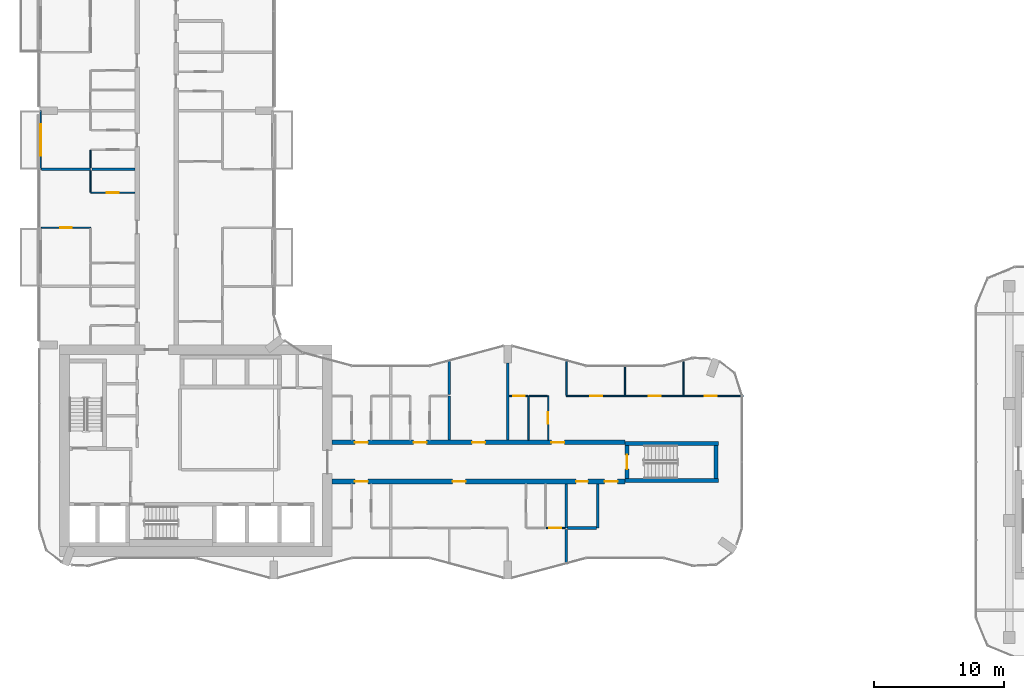
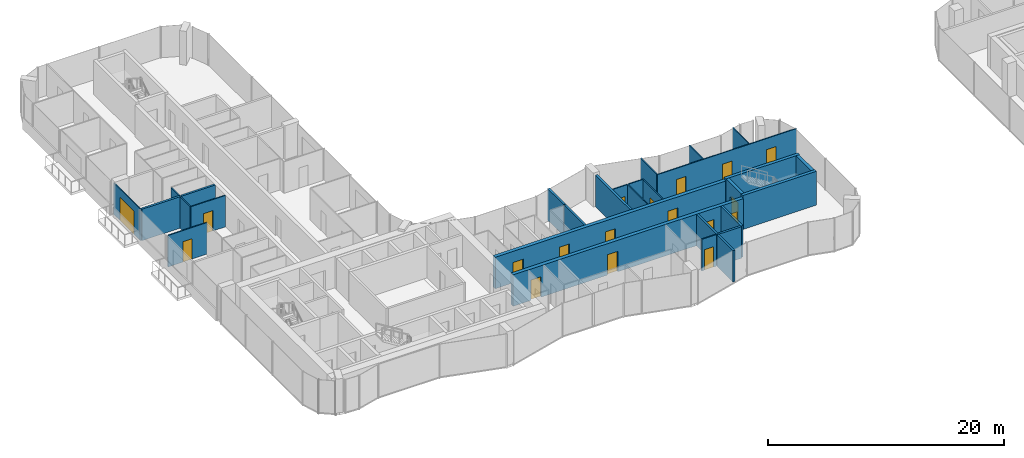
# One storey, part 15 of 23: 29 walls, 18 doors, 18 openings.
"""IFC4 building model written with IfcOpenShell, lengths in metres."""

from ifc_helpers import new_model, si_unit, direction, frame, frame_2d, origin, place, context, subcontext, project, spatial, rectangle, extrude, material, layer, layer_set, type_object, element, fill, save


model = new_model("IFC4")

# Units and contexts
model_context = context("Model", 3, precision=1e-05, world=origin(), true_north=direction((0.0, 1.0)))
body_context = subcontext(model_context, "Body", "Model", "MODEL_VIEW")
ifc_project = project(units=[si_unit("LENGTHUNIT", "METRE"), si_unit("AREAUNIT", "SQUARE_METRE"), si_unit("VOLUMEUNIT", "CUBIC_METRE"), si_unit("PLANEANGLEUNIT", "RADIAN"), si_unit("MASSUNIT", "GRAM", prefix="KILO")], contexts=[model_context])

# Site, building, storey
site_placement = place(None, origin())
site = spatial("IfcSite", under=ifc_project, at=site_placement, CompositionType="ELEMENT")
building_placement = place(site_placement, origin())
building = spatial("IfcBuilding", under=site, at=building_placement, Name="Plateau Cross Towers", CompositionType="ELEMENT")
storey_placement = place(building_placement, frame((0.0, 0.0, 40.800048828125)))
storey = spatial("IfcBuildingStorey", under=building, at=storey_placement, Name="L09", CompositionType="ELEMENT", Elevation=40.800048828125)

# Wall, opening, door
ifc_material_1 = material(Name="Aluminium framed glazing", Category="aluminium")
ifc_layer_1 = layer(ifc_material_1, 0.10009765625)
ifc_layer_set_1 = layer_set([ifc_layer_1], Name="Aluminium framed glazing")
wall_type_1 = type_object("IfcWallType", Name="Balcony screen wall 100", PredefinedType="STANDARD", material=ifc_layer_set_1)
wall_1_placement = place(storey_placement, frame((0.10009765625, 31.5, 0.0), z_axis=(0.0, 0.0, 1.0), x_axis=(0.0, 1.0, 0.0)))
wall_1 = element("IfcWall", 1, at=wall_1_placement, inside=storey, type_object=wall_type_1, Name="Balcony screen wall A-BAL-L09-02", PredefinedType="STANDARD", context=body_context, shape_type="SweptSolid", body=[
    extrude(rectangle(XDim=4.5, YDim=0.10009765625, at=frame_2d((2.25, 0.0))), origin(), (0.0, 0.0, 1.0), 3.25),
])
opening_1_placement = place(wall_1_placement, frame((1.050048828125, 0.0, 0.0)))
opening_1 = element("IfcOpeningElement", 2, at=opening_1_placement, cuts=wall_1, Name="Opening D-B24", PredefinedType="OPENING", context=body_context, shape_type="SweptSolid", body=[
    extrude(rectangle(XDim=2.39990234375, YDim=2.39990234375, at=frame_2d((1.199951171875, 1.199951171875))), frame((0.0, 0.06005859375, 0.0), z_axis=(0.0, -1.0, 0.0), x_axis=(1.0, 0.0, 0.0)), (0.0, 0.0, 1.0), 0.1201171875),
])
ifc_material_2 = material(Name="Aluminium frame, double glazing", Category="aluminium")
door_type_1 = type_object("IfcDoorType", Name="Balcony sliding door 2400", OperationType="NOTDEFINED", PredefinedType="DOOR", material=ifc_material_2)
door_1_placement = place(opening_1_placement, origin())
door_1 = element("IfcDoor", 3, at=door_1_placement, inside=storey, type_object=door_type_1, Name="Balcony door A-BAL-L09-02", OperationType="SINGLE_SWING_LEFT", OverallHeight=2.39990234375, OverallWidth=2.39990234375, PredefinedType="DOOR", context=body_context, shape_type="SweptSolid", body=[
    extrude(rectangle(XDim=2.39990234375, YDim=2.39990234375, at=frame_2d((1.199951171875, 1.199951171875))), frame((0.0, 0.02490234375, 0.0), z_axis=(0.0, -1.0, 0.0), x_axis=(1.0, 0.0, 0.0)), (0.0, 0.0, 1.0), 0.050048828125),
])
fill(opening_1, door_1)

# Wall, openings, doors
ifc_material_3 = material(Name="Concrete C60/75", Category="concrete")
ifc_layer_2 = layer(ifc_material_3, 0.35009765625)
ifc_layer_set_2 = layer_set([ifc_layer_2], Name="Concrete C60/75")
wall_type_2 = type_object("IfcWallType", Name="Corridor wall 350", PredefinedType="SHEAR", material=ifc_layer_set_2)
wall_2_placement = place(storey_placement, frame((22.5, 7.5, 0.0), z_axis=(0.0, 0.0, 1.0), x_axis=(1.0, 0.0, 0.0)))
wall_2 = element("IfcWall", 4, at=wall_2_placement, inside=storey, type_object=wall_type_2, Name="A-cw-S1@L09", PredefinedType="SHEAR", context=body_context, shape_type="SweptSolid", body=[
    extrude(rectangle(XDim=22.5, YDim=0.35009765625, at=frame_2d((11.25, 0.0))), origin(), (0.0, 0.0, 1.0), 3.25),
])
opening_2_placement = place(wall_2_placement, frame((1.75, 0.0, 0.0)))
opening_2 = element("IfcOpeningElement", 5, at=opening_2_placement, cuts=wall_2, Name="Opening 09-01", PredefinedType="OPENING", context=body_context, shape_type="SweptSolid", body=[
    extrude(rectangle(XDim=1.0, YDim=2.10009765625, at=frame_2d((0.5, 1.050048828125))), frame((0.0, 0.18505859375, 0.0), z_axis=(0.0, -1.0, 0.0), x_axis=(1.0, 0.0, 0.0)), (0.0, 0.0, 1.0), 0.3701171875),
])
opening_3_placement = place(wall_2_placement, frame((9.25, 0.0, 0.0)))
opening_3 = element("IfcOpeningElement", 6, at=opening_3_placement, cuts=wall_2, Name="Opening 09-02", PredefinedType="OPENING", context=body_context, shape_type="SweptSolid", body=[
    extrude(rectangle(XDim=1.0, YDim=2.10009765625, at=frame_2d((0.5, 1.050048828125))), frame((0.0, 0.18505859375, 0.0), z_axis=(0.0, -1.0, 0.0), x_axis=(1.0, 0.0, 0.0)), (0.0, 0.0, 1.0), 0.3701171875),
])
opening_4_placement = place(wall_2_placement, frame((18.75, 0.0, 0.0)))
opening_4 = element("IfcOpeningElement", 7, at=opening_4_placement, cuts=wall_2, Name="Opening 09-03", PredefinedType="OPENING", context=body_context, shape_type="SweptSolid", body=[
    extrude(rectangle(XDim=0.89990234375, YDim=2.10009765625, at=frame_2d((0.449951171875, 1.050048828125))), frame((0.0, 0.18505859375, 0.0), z_axis=(0.0, -1.0, 0.0), x_axis=(1.0, 0.0, 0.0)), (0.0, 0.0, 1.0), 0.3701171875),
])
opening_5_placement = place(wall_2_placement, frame((20.949951171875, 0.0, 0.0)))
opening_5 = element("IfcOpeningElement", 8, at=opening_5_placement, cuts=wall_2, Name="Opening 09-04", PredefinedType="OPENING", context=body_context, shape_type="SweptSolid", body=[
    extrude(rectangle(XDim=1.0, YDim=2.10009765625, at=frame_2d((0.5, 1.050048828125))), frame((0.0, 0.18505859375, 0.0), z_axis=(0.0, -1.0, 0.0), x_axis=(1.0, 0.0, 0.0)), (0.0, 0.0, 1.0), 0.3701171875),
])
ifc_material_4 = material(Name="Timber, fire-resisting leaf", Category="wood")
door_type_2 = type_object("IfcDoorType", Name="Flat entrance door 1000", OperationType="NOTDEFINED", PredefinedType="DOOR", material=ifc_material_4)
door_2_placement = place(opening_2_placement, origin())
door_2 = element("IfcDoor", 9, at=door_2_placement, inside=storey, type_object=door_type_2, Name="Door 09-01", OperationType="SINGLE_SWING_LEFT", OverallHeight=2.10009765625, OverallWidth=1.0, PredefinedType="DOOR", context=body_context, shape_type="SweptSolid", body=[
    extrude(rectangle(XDim=1.0, YDim=2.10009765625, at=frame_2d((0.5, 1.050048828125))), frame((0.0, 0.02490234375, 0.0), z_axis=(0.0, -1.0, 0.0), x_axis=(1.0, 0.0, 0.0)), (0.0, 0.0, 1.0), 0.050048828125),
])
fill(opening_2, door_2)
door_3_placement = place(opening_3_placement, origin())
door_3 = element("IfcDoor", 10, at=door_3_placement, inside=storey, type_object=door_type_2, Name="Door 09-02", OperationType="SINGLE_SWING_LEFT", OverallHeight=2.10009765625, OverallWidth=1.0, PredefinedType="DOOR", context=body_context, shape_type="SweptSolid", body=[
    extrude(rectangle(XDim=1.0, YDim=2.10009765625, at=frame_2d((0.5, 1.050048828125))), frame((0.0, 0.02490234375, 0.0), z_axis=(0.0, -1.0, 0.0), x_axis=(1.0, 0.0, 0.0)), (0.0, 0.0, 1.0), 0.050048828125),
])
fill(opening_3, door_3)
door_4_placement = place(opening_5_placement, origin())
door_4 = element("IfcDoor", 11, at=door_4_placement, inside=storey, type_object=door_type_2, Name="Door 09-04", OperationType="SINGLE_SWING_RIGHT", OverallHeight=2.10009765625, OverallWidth=1.0, PredefinedType="DOOR", context=body_context, shape_type="SweptSolid", body=[
    extrude(rectangle(XDim=1.0, YDim=2.10009765625, at=frame_2d((0.5, 1.050048828125))), frame((0.0, 0.02490234375, 0.0), z_axis=(0.0, -1.0, 0.0), x_axis=(1.0, 0.0, 0.0)), (0.0, 0.0, 1.0), 0.050048828125),
])
fill(opening_5, door_4)
door_type_3 = type_object("IfcDoorType", Name="Flat floor service door 900", OperationType="NOTDEFINED", PredefinedType="DOOR", material=ifc_material_4)
door_5_placement = place(opening_4_placement, origin())
door_5 = element("IfcDoor", 12, at=door_5_placement, inside=storey, type_object=door_type_3, Name="Door 09-03", OperationType="SINGLE_SWING_RIGHT", OverallHeight=2.10009765625, OverallWidth=0.89990234375, PredefinedType="DOOR", context=body_context, shape_type="SweptSolid", body=[
    extrude(rectangle(XDim=0.89990234375, YDim=2.10009765625, at=frame_2d((0.449951171875, 1.050048828125))), frame((0.0, 0.02490234375, 0.0), z_axis=(0.0, -1.0, 0.0), x_axis=(1.0, 0.0, 0.0)), (0.0, 0.0, 1.0), 0.050048828125),
])
fill(opening_4, door_5)

wall_3_placement = place(storey_placement, frame((22.5, 10.5, 0.0), z_axis=(0.0, 0.0, 1.0), x_axis=(1.0, 0.0, 0.0)))
wall_3 = element("IfcWall", 13, at=wall_3_placement, inside=storey, type_object=wall_type_2, Name="A-cw-S2@L09", PredefinedType="SHEAR", context=body_context, shape_type="SweptSolid", body=[
    extrude(rectangle(XDim=22.5, YDim=0.35009765625, at=frame_2d((11.25, 0.0))), origin(), (0.0, 0.0, 1.0), 3.25),
])
opening_6_placement = place(wall_3_placement, frame((1.75, 0.0, 0.0)))
opening_6 = element("IfcOpeningElement", 14, at=opening_6_placement, cuts=wall_3, Name="Opening 09-05", PredefinedType="OPENING", context=body_context, shape_type="SweptSolid", body=[
    extrude(rectangle(XDim=1.0, YDim=2.10009765625, at=frame_2d((0.5, 1.050048828125))), frame((0.0, 0.18505859375, 0.0), z_axis=(0.0, -1.0, 0.0), x_axis=(1.0, 0.0, 0.0)), (0.0, 0.0, 1.0), 0.3701171875),
])
opening_7_placement = place(wall_3_placement, frame((6.25, 0.0, 0.0)))
opening_7 = element("IfcOpeningElement", 15, at=opening_7_placement, cuts=wall_3, Name="Opening 09-06", PredefinedType="OPENING", context=body_context, shape_type="SweptSolid", body=[
    extrude(rectangle(XDim=1.0, YDim=2.10009765625, at=frame_2d((0.5, 1.050048828125))), frame((0.0, 0.18505859375, 0.0), z_axis=(0.0, -1.0, 0.0), x_axis=(1.0, 0.0, 0.0)), (0.0, 0.0, 1.0), 0.3701171875),
])
opening_8_placement = place(wall_3_placement, frame((10.75, 0.0, 0.0)))
opening_8 = element("IfcOpeningElement", 16, at=opening_8_placement, cuts=wall_3, Name="Opening 09-07", PredefinedType="OPENING", context=body_context, shape_type="SweptSolid", body=[
    extrude(rectangle(XDim=1.0, YDim=2.10009765625, at=frame_2d((0.5, 1.050048828125))), frame((0.0, 0.18505859375, 0.0), z_axis=(0.0, -1.0, 0.0), x_axis=(1.0, 0.0, 0.0)), (0.0, 0.0, 1.0), 0.3701171875),
])
opening_9_placement = place(wall_3_placement, frame((16.85009765625, 0.0, 0.0)))
opening_9 = element("IfcOpeningElement", 17, at=opening_9_placement, cuts=wall_3, Name="Opening 09-08", PredefinedType="OPENING", context=body_context, shape_type="SweptSolid", body=[
    extrude(rectangle(XDim=1.0, YDim=2.10009765625, at=frame_2d((0.5, 1.050048828125))), frame((0.0, 0.18505859375, 0.0), z_axis=(0.0, -1.0, 0.0), x_axis=(1.0, 0.0, 0.0)), (0.0, 0.0, 1.0), 0.3701171875),
])
door_6_placement = place(opening_6_placement, origin())
door_6 = element("IfcDoor", 18, at=door_6_placement, inside=storey, type_object=door_type_2, Name="Door 09-05", OperationType="SINGLE_SWING_LEFT", OverallHeight=2.10009765625, OverallWidth=1.0, PredefinedType="DOOR", context=body_context, shape_type="SweptSolid", body=[
    extrude(rectangle(XDim=1.0, YDim=2.10009765625, at=frame_2d((0.5, 1.050048828125))), frame((0.0, 0.02490234375, 0.0), z_axis=(0.0, -1.0, 0.0), x_axis=(1.0, 0.0, 0.0)), (0.0, 0.0, 1.0), 0.050048828125),
])
fill(opening_6, door_6)
door_7_placement = place(opening_7_placement, origin())
door_7 = element("IfcDoor", 19, at=door_7_placement, inside=storey, type_object=door_type_2, Name="Door 09-06", OperationType="SINGLE_SWING_LEFT", OverallHeight=2.10009765625, OverallWidth=1.0, PredefinedType="DOOR", context=body_context, shape_type="SweptSolid", body=[
    extrude(rectangle(XDim=1.0, YDim=2.10009765625, at=frame_2d((0.5, 1.050048828125))), frame((0.0, 0.02490234375, 0.0), z_axis=(0.0, -1.0, 0.0), x_axis=(1.0, 0.0, 0.0)), (0.0, 0.0, 1.0), 0.050048828125),
])
fill(opening_7, door_7)
door_8_placement = place(opening_8_placement, origin())
door_8 = element("IfcDoor", 20, at=door_8_placement, inside=storey, type_object=door_type_2, Name="Door 09-07", OperationType="SINGLE_SWING_LEFT", OverallHeight=2.10009765625, OverallWidth=1.0, PredefinedType="DOOR", context=body_context, shape_type="SweptSolid", body=[
    extrude(rectangle(XDim=1.0, YDim=2.10009765625, at=frame_2d((0.5, 1.050048828125))), frame((0.0, 0.02490234375, 0.0), z_axis=(0.0, -1.0, 0.0), x_axis=(1.0, 0.0, 0.0)), (0.0, 0.0, 1.0), 0.050048828125),
])
fill(opening_8, door_8)
door_9_placement = place(opening_9_placement, origin())
door_9 = element("IfcDoor", 21, at=door_9_placement, inside=storey, type_object=door_type_2, Name="Door 09-08", OperationType="SINGLE_SWING_RIGHT", OverallHeight=2.10009765625, OverallWidth=1.0, PredefinedType="DOOR", context=body_context, shape_type="SweptSolid", body=[
    extrude(rectangle(XDim=1.0, YDim=2.10009765625, at=frame_2d((0.5, 1.050048828125))), frame((0.0, 0.02490234375, 0.0), z_axis=(0.0, -1.0, 0.0), x_axis=(1.0, 0.0, 0.0)), (0.0, 0.0, 1.0), 0.050048828125),
])
fill(opening_9, door_9)

# Wall, opening, door
ifc_material_5 = material(Name="Gypsum board on steel studs", Category="steel")
ifc_layer_3 = layer(ifc_material_5, 0.10009765625)
ifc_layer_set_3 = layer_set([ifc_layer_3], Name="Gypsum board on steel studs")
wall_type_3 = type_object("IfcWallType", Name="Flat partition 100", PredefinedType="PARTITIONING", material=ifc_layer_set_3)
wall_4_placement = place(storey_placement, frame((38.949951171875, 3.925048828125, 0.0), z_axis=(0.0, 0.0, 1.0), x_axis=(1.0, 0.0, 0.0)))
wall_4 = element("IfcWall", 22, at=wall_4_placement, inside=storey, type_object=wall_type_3, Name="Partition wall", PredefinedType="PARTITIONING", context=body_context, shape_type="SweptSolid", body=[
    extrude(rectangle(XDim=1.449951171875, YDim=0.10009765625, at=frame_2d((0.72509765625, 0.0))), origin(), (0.0, 0.0, 1.0), 3.25),
])
opening_10_placement = place(wall_4_placement, frame((0.25, 0.0, 0.0)))
opening_10 = element("IfcOpeningElement", 23, at=opening_10_placement, cuts=wall_4, Name="Opening 09-20", PredefinedType="OPENING", context=body_context, shape_type="SweptSolid", body=[
    extrude(rectangle(XDim=0.89990234375, YDim=2.10009765625, at=frame_2d((0.449951171875, 1.050048828125))), frame((0.0, 0.06005859375, 0.0), z_axis=(0.0, -1.0, 0.0), x_axis=(1.0, 0.0, 0.0)), (0.0, 0.0, 1.0), 0.1201171875),
])
ifc_material_6 = material(Name="Timber leaf", Category="wood")
door_type_4 = type_object("IfcDoorType", Name="Flat room door 900", OperationType="NOTDEFINED", PredefinedType="DOOR", material=ifc_material_6)
door_10_placement = place(opening_10_placement, origin())
door_10 = element("IfcDoor", 24, at=door_10_placement, inside=storey, type_object=door_type_4, Name="Door 09-20", OperationType="SINGLE_SWING_LEFT", OverallHeight=2.10009765625, OverallWidth=0.89990234375, PredefinedType="DOOR", context=body_context, shape_type="SweptSolid", body=[
    extrude(rectangle(XDim=0.89990234375, YDim=2.10009765625, at=frame_2d((0.449951171875, 1.050048828125))), frame((0.0, 0.02490234375, 0.0), z_axis=(0.0, -1.0, 0.0), x_axis=(1.0, 0.0, 0.0)), (0.0, 0.0, 1.0), 0.050048828125),
])
fill(opening_10, door_10)

wall_5_placement = place(storey_placement, frame((37.550048828125, 14.074951171875, 0.0), z_axis=(0.0, 0.0, 1.0), x_axis=(-1.0, 0.0, 0.0)))
wall_5 = element("IfcWall", 25, at=wall_5_placement, inside=storey, type_object=wall_type_3, Name="Partition wall", PredefinedType="PARTITIONING", context=body_context, shape_type="SweptSolid", body=[
    extrude(rectangle(XDim=1.449951171875, YDim=0.10009765625, at=frame_2d((0.72509765625, 0.0))), origin(), (0.0, 0.0, 1.0), 3.25),
])
opening_11_placement = place(wall_5_placement, frame((0.25, 0.0, 0.0)))
opening_11 = element("IfcOpeningElement", 26, at=opening_11_placement, cuts=wall_5, Name="Opening 09-27", PredefinedType="OPENING", context=body_context, shape_type="SweptSolid", body=[
    extrude(rectangle(XDim=0.89990234375, YDim=2.10009765625, at=frame_2d((0.449951171875, 1.050048828125))), frame((0.0, 0.06005859375, 0.0), z_axis=(0.0, -1.0, 0.0), x_axis=(1.0, 0.0, 0.0)), (0.0, 0.0, 1.0), 0.1201171875),
])
door_11_placement = place(opening_11_placement, origin())
door_11 = element("IfcDoor", 27, at=door_11_placement, inside=storey, type_object=door_type_4, Name="Door 09-27", OperationType="SINGLE_SWING_LEFT", OverallHeight=2.10009765625, OverallWidth=0.89990234375, PredefinedType="DOOR", context=body_context, shape_type="SweptSolid", body=[
    extrude(rectangle(XDim=0.89990234375, YDim=2.10009765625, at=frame_2d((0.449951171875, 1.050048828125))), frame((0.0, 0.02490234375, 0.0), z_axis=(0.0, -1.0, 0.0), x_axis=(1.0, 0.0, 0.0)), (0.0, 0.0, 1.0), 0.050048828125),
])
fill(opening_11, door_11)

# Wall
wall_6_placement = place(storey_placement, frame((39.050048828125, 14.074951171875, 0.0), z_axis=(0.0, 0.0, 1.0), x_axis=(-1.0, 0.0, 0.0)))
element("IfcWall", 28, at=wall_6_placement, inside=storey, type_object=wall_type_3, Name="Partition wall", PredefinedType="PARTITIONING", context=body_context, shape_type="SweptSolid", body=[
    extrude(rectangle(XDim=1.400146484375, YDim=0.10009765625, at=frame_2d((0.7001953125, 0.0))), origin(), (0.0, 0.0, 1.0), 3.25),
])

# Wall, openings, doors
wall_7_placement = place(storey_placement, frame((40.5, 14.074951171875, 0.0), z_axis=(0.0, 0.0, 1.0), x_axis=(1.0, 0.0, 0.0)))
wall_7 = element("IfcWall", 29, at=wall_7_placement, inside=storey, type_object=wall_type_3, Name="Partition wall", PredefinedType="PARTITIONING", context=body_context, shape_type="SweptSolid", body=[
    extrude(rectangle(XDim=13.580078125, YDim=0.10009765625, at=frame_2d((6.7900390625, 0.0))), origin(), (0.0, 0.0, 1.0), 3.25),
])
opening_12_placement = place(wall_7_placement, frame((1.85009765625, 0.0, 0.0)))
opening_12 = element("IfcOpeningElement", 30, at=opening_12_placement, cuts=wall_7, Name="Opening 09-29", PredefinedType="OPENING", context=body_context, shape_type="SweptSolid", body=[
    extrude(rectangle(XDim=0.89990234375, YDim=2.10009765625, at=frame_2d((0.449951171875, 1.050048828125))), frame((0.0, 0.06005859375, 0.0), z_axis=(0.0, -1.0, 0.0), x_axis=(1.0, 0.0, 0.0)), (0.0, 0.0, 1.0), 0.1201171875),
])
opening_13_placement = place(wall_7_placement, frame((6.35009765625, 0.0, 0.0)))
opening_13 = element("IfcOpeningElement", 31, at=opening_13_placement, cuts=wall_7, Name="Opening 09-30", PredefinedType="OPENING", context=body_context, shape_type="SweptSolid", body=[
    extrude(rectangle(XDim=0.89990234375, YDim=2.10009765625, at=frame_2d((0.449951171875, 1.050048828125))), frame((0.0, 0.06005859375, 0.0), z_axis=(0.0, -1.0, 0.0), x_axis=(1.0, 0.0, 0.0)), (0.0, 0.0, 1.0), 0.1201171875),
])
opening_14_placement = place(wall_7_placement, frame((10.64990234375, 0.0, 0.0)))
opening_14 = element("IfcOpeningElement", 32, at=opening_14_placement, cuts=wall_7, Name="Opening 09-31", PredefinedType="OPENING", context=body_context, shape_type="SweptSolid", body=[
    extrude(rectangle(XDim=0.89990234375, YDim=2.10009765625, at=frame_2d((0.449951171875, 1.050048828125))), frame((0.0, 0.06005859375, 0.0), z_axis=(0.0, -1.0, 0.0), x_axis=(1.0, 0.0, 0.0)), (0.0, 0.0, 1.0), 0.1201171875),
])
door_12_placement = place(opening_12_placement, origin())
door_12 = element("IfcDoor", 33, at=door_12_placement, inside=storey, type_object=door_type_4, Name="Door 09-29", OperationType="SINGLE_SWING_LEFT", OverallHeight=2.10009765625, OverallWidth=0.89990234375, PredefinedType="DOOR", context=body_context, shape_type="SweptSolid", body=[
    extrude(rectangle(XDim=0.89990234375, YDim=2.10009765625, at=frame_2d((0.449951171875, 1.050048828125))), frame((0.0, 0.02490234375, 0.0), z_axis=(0.0, -1.0, 0.0), x_axis=(1.0, 0.0, 0.0)), (0.0, 0.0, 1.0), 0.050048828125),
])
fill(opening_12, door_12)
door_13_placement = place(opening_13_placement, origin())
door_13 = element("IfcDoor", 34, at=door_13_placement, inside=storey, type_object=door_type_4, Name="Door 09-30", OperationType="SINGLE_SWING_RIGHT", OverallHeight=2.10009765625, OverallWidth=0.89990234375, PredefinedType="DOOR", context=body_context, shape_type="SweptSolid", body=[
    extrude(rectangle(XDim=0.89990234375, YDim=2.10009765625, at=frame_2d((0.449951171875, 1.050048828125))), frame((0.0, 0.02490234375, 0.0), z_axis=(0.0, -1.0, 0.0), x_axis=(1.0, 0.0, 0.0)), (0.0, 0.0, 1.0), 0.050048828125),
])
fill(opening_13, door_13)
door_14_placement = place(opening_14_placement, origin())
door_14 = element("IfcDoor", 35, at=door_14_placement, inside=storey, type_object=door_type_4, Name="Door 09-31", OperationType="SINGLE_SWING_RIGHT", OverallHeight=2.10009765625, OverallWidth=0.89990234375, PredefinedType="DOOR", context=body_context, shape_type="SweptSolid", body=[
    extrude(rectangle(XDim=0.89990234375, YDim=2.10009765625, at=frame_2d((0.449951171875, 1.050048828125))), frame((0.0, 0.02490234375, 0.0), z_axis=(0.0, -1.0, 0.0), x_axis=(1.0, 0.0, 0.0)), (0.0, 0.0, 1.0), 0.050048828125),
])
fill(opening_14, door_14)

# Wall, opening, door
wall_8_placement = place(storey_placement, frame((3.925048828125, 27.0, 0.0), z_axis=(0.0, 0.0, 1.0), x_axis=(-1.0, 0.0, 0.0)))
wall_8 = element("IfcWall", 36, at=wall_8_placement, inside=storey, type_object=wall_type_3, Name="Partition wall", PredefinedType="PARTITIONING", context=body_context, shape_type="SweptSolid", body=[
    extrude(rectangle(XDim=3.775146484375, YDim=0.10009765625, at=frame_2d((1.8876953125, 0.0))), origin(), (0.0, 0.0, 1.0), 3.25),
])
opening_15_placement = place(wall_8_placement, frame((1.449951171875, 0.0, 0.0)))
opening_15 = element("IfcOpeningElement", 37, at=opening_15_placement, cuts=wall_8, Name="Opening 09-36", PredefinedType="OPENING", context=body_context, shape_type="SweptSolid", body=[
    extrude(rectangle(XDim=0.89990234375, YDim=2.10009765625, at=frame_2d((0.449951171875, 1.050048828125))), frame((0.0, 0.06005859375, 0.0), z_axis=(0.0, -1.0, 0.0), x_axis=(1.0, 0.0, 0.0)), (0.0, 0.0, 1.0), 0.1201171875),
])
door_15_placement = place(opening_15_placement, origin())
door_15 = element("IfcDoor", 38, at=door_15_placement, inside=storey, type_object=door_type_4, Name="Door 09-36", OperationType="SINGLE_SWING_RIGHT", OverallHeight=2.10009765625, OverallWidth=0.89990234375, PredefinedType="DOOR", context=body_context, shape_type="SweptSolid", body=[
    extrude(rectangle(XDim=0.89990234375, YDim=2.10009765625, at=frame_2d((0.449951171875, 1.050048828125))), frame((0.0, 0.02490234375, 0.0), z_axis=(0.0, -1.0, 0.0), x_axis=(1.0, 0.0, 0.0)), (0.0, 0.0, 1.0), 0.050048828125),
])
fill(opening_15, door_15)

wall_9_placement = place(storey_placement, frame((3.925048828125, 29.699951171875, 0.0), z_axis=(0.0, 0.0, 1.0), x_axis=(1.0, 0.0, 0.0)))
wall_9 = element("IfcWall", 39, at=wall_9_placement, inside=storey, type_object=wall_type_3, Name="Partition wall", PredefinedType="PARTITIONING", context=body_context, shape_type="SweptSolid", body=[
    extrude(rectangle(XDim=3.39990234375, YDim=0.10009765625, at=frame_2d((1.699951171875, 0.0))), origin(), (0.0, 0.0, 1.0), 3.25),
])
opening_16_placement = place(wall_9_placement, frame((1.25, 0.0, 0.0)))
opening_16 = element("IfcOpeningElement", 40, at=opening_16_placement, cuts=wall_9, Name="Opening 09-35", PredefinedType="OPENING", context=body_context, shape_type="SweptSolid", body=[
    extrude(rectangle(XDim=0.89990234375, YDim=2.10009765625, at=frame_2d((0.449951171875, 1.050048828125))), frame((0.0, 0.06005859375, 0.0), z_axis=(0.0, -1.0, 0.0), x_axis=(1.0, 0.0, 0.0)), (0.0, 0.0, 1.0), 0.1201171875),
])
door_16_placement = place(opening_16_placement, origin())
door_16 = element("IfcDoor", 41, at=door_16_placement, inside=storey, type_object=door_type_4, Name="Door 09-35", OperationType="SINGLE_SWING_LEFT", OverallHeight=2.10009765625, OverallWidth=0.89990234375, PredefinedType="DOOR", context=body_context, shape_type="SweptSolid", body=[
    extrude(rectangle(XDim=0.89990234375, YDim=2.10009765625, at=frame_2d((0.449951171875, 1.050048828125))), frame((0.0, 0.02490234375, 0.0), z_axis=(0.0, -1.0, 0.0), x_axis=(1.0, 0.0, 0.0)), (0.0, 0.0, 1.0), 0.050048828125),
])
fill(opening_16, door_16)

# Walls
wall_10_placement = place(storey_placement, frame((3.925048828125, 31.39990234375, 0.0), z_axis=(0.0, 0.0, 1.0), x_axis=(0.0, -1.0, 0.0)))
element("IfcWall", 42, at=wall_10_placement, inside=storey, type_object=wall_type_3, Name="Partition wall", PredefinedType="PARTITIONING", context=body_context, shape_type="SweptSolid", body=[
    extrude(rectangle(XDim=1.64990234375, YDim=0.10009765625, at=frame_2d((0.824951171875, 0.0))), origin(), (0.0, 0.0, 1.0), 3.25),
])
wall_11_placement = place(storey_placement, frame((3.925048828125, 32.949951171875, 0.0), z_axis=(0.0, 0.0, 1.0), x_axis=(0.0, -1.0, 0.0)))
element("IfcWall", 43, at=wall_11_placement, inside=storey, type_object=wall_type_3, Name="Partition wall", PredefinedType="PARTITIONING", context=body_context, shape_type="SweptSolid", body=[
    extrude(rectangle(XDim=1.349853515625, YDim=0.10009765625, at=frame_2d((0.6748046875, 0.0))), origin(), (0.0, 0.0, 1.0), 3.25),
])
wall_12_placement = place(storey_placement, frame((37.60009765625, 10.675048828125, 0.0), z_axis=(0.0, 0.0, 1.0), x_axis=(0.0, 1.0, 0.0)))
element("IfcWall", 44, at=wall_12_placement, inside=storey, type_object=wall_type_3, Name="Partition wall", PredefinedType="PARTITIONING", context=body_context, shape_type="SweptSolid", body=[
    extrude(rectangle(XDim=3.39990234375, YDim=0.10009765625, at=frame_2d((1.699951171875, 0.0))), origin(), (0.0, 0.0, 1.0), 3.25),
])

# Wall, opening, door
wall_13_placement = place(storey_placement, frame((39.10009765625, 10.675048828125, 0.0), z_axis=(0.0, 0.0, 1.0), x_axis=(0.0, 1.0, 0.0)))
wall_13 = element("IfcWall", 45, at=wall_13_placement, inside=storey, type_object=wall_type_3, Name="Partition wall", PredefinedType="PARTITIONING", context=body_context, shape_type="SweptSolid", body=[
    extrude(rectangle(XDim=3.39990234375, YDim=0.10009765625, at=frame_2d((1.699951171875, 0.0))), origin(), (0.0, 0.0, 1.0), 3.25),
])
opening_17_placement = place(wall_13_placement, frame((1.25, 0.0, 0.0)))
opening_17 = element("IfcOpeningElement", 46, at=opening_17_placement, cuts=wall_13, Name="Opening 09-28", PredefinedType="OPENING", context=body_context, shape_type="SweptSolid", body=[
    extrude(rectangle(XDim=0.89990234375, YDim=2.10009765625, at=frame_2d((0.449951171875, 1.050048828125))), frame((0.0, 0.06005859375, 0.0), z_axis=(0.0, -1.0, 0.0), x_axis=(1.0, 0.0, 0.0)), (0.0, 0.0, 1.0), 0.1201171875),
])
door_17_placement = place(opening_17_placement, origin())
door_17 = element("IfcDoor", 47, at=door_17_placement, inside=storey, type_object=door_type_4, Name="Door 09-28", OperationType="SINGLE_SWING_RIGHT", OverallHeight=2.10009765625, OverallWidth=0.89990234375, PredefinedType="DOOR", context=body_context, shape_type="SweptSolid", body=[
    extrude(rectangle(XDim=0.89990234375, YDim=2.10009765625, at=frame_2d((0.449951171875, 1.050048828125))), frame((0.0, 0.02490234375, 0.0), z_axis=(0.0, -1.0, 0.0), x_axis=(1.0, 0.0, 0.0)), (0.0, 0.0, 1.0), 0.050048828125),
])
fill(opening_17, door_17)

# Walls
wall_14_placement = place(storey_placement, frame((40.5, 16.877685546875, 0.0), z_axis=(0.0, 0.0, 1.0), x_axis=(0.0, -1.0, 0.0)))
element("IfcWall", 48, at=wall_14_placement, inside=storey, type_object=wall_type_3, Name="Partition wall", PredefinedType="PARTITIONING", context=body_context, shape_type="SweptSolid", body=[
    extrude(rectangle(XDim=2.752685546875, YDim=0.10009765625, at=frame_2d((1.37646484375, 0.0))), origin(), (0.0, 0.0, 1.0), 3.25),
])
wall_15_placement = place(storey_placement, frame((45.0, 14.125, 0.0), z_axis=(0.0, 0.0, 1.0), x_axis=(0.0, 1.0, 0.0)))
element("IfcWall", 49, at=wall_15_placement, inside=storey, type_object=wall_type_3, Name="Partition wall", PredefinedType="PARTITIONING", context=body_context, shape_type="SweptSolid", body=[
    extrude(rectangle(XDim=2.34814453125, YDim=0.10009765625, at=frame_2d((1.174072265625, 0.0))), origin(), (0.0, 0.0, 1.0), 3.25),
])
wall_16_placement = place(storey_placement, frame((49.5, 14.125, 0.0), z_axis=(0.0, 0.0, 1.0), x_axis=(0.0, 1.0, 0.0)))
element("IfcWall", 50, at=wall_16_placement, inside=storey, type_object=wall_type_3, Name="Partition wall", PredefinedType="PARTITIONING", context=body_context, shape_type="SweptSolid", body=[
    extrude(rectangle(XDim=2.752685546875, YDim=0.10009765625, at=frame_2d((1.37646484375, 0.0))), origin(), (0.0, 0.0, 1.0), 3.25),
])
ifc_material_7 = material(Name="Gypsum board on steel studs, two layers each side", Category="steel")
ifc_layer_4 = layer(ifc_material_7, 0.199951171875)
ifc_layer_set_4 = layer_set([ifc_layer_4], Name="Gypsum board on steel studs, two layers each side")
wall_type_4 = type_object("IfcWallType", Name="Flat party wall 200", PredefinedType="PARTITIONING", material=ifc_layer_set_4)
wall_17_placement = place(storey_placement, frame((40.60009765625, 3.925048828125, 0.0), z_axis=(0.0, 0.0, 1.0), x_axis=(1.0, 0.0, 0.0)))
element("IfcWall", 51, at=wall_17_placement, inside=storey, type_object=wall_type_4, Name="Party wall", PredefinedType="PARTITIONING", context=body_context, shape_type="SweptSolid", body=[
    extrude(rectangle(XDim=2.199951171875, YDim=0.199951171875, at=frame_2d((1.10009765625, 0.0))), origin(), (0.0, 0.0, 1.0), 3.25),
])
wall_18_placement = place(storey_placement, frame((7.324951171875, 31.5, 0.0), z_axis=(0.0, 0.0, 1.0), x_axis=(-1.0, 0.0, 0.0)))
element("IfcWall", 52, at=wall_18_placement, inside=storey, type_object=wall_type_4, Name="Party wall", PredefinedType="PARTITIONING", context=body_context, shape_type="SweptSolid", body=[
    extrude(rectangle(XDim=3.300048828125, YDim=0.199951171875, at=frame_2d((1.64990234375, 0.0))), origin(), (0.0, 0.0, 1.0), 3.25),
])
wall_19_placement = place(storey_placement, frame((0.14990234375, 31.5, 0.0), z_axis=(0.0, 0.0, 1.0), x_axis=(1.0, 0.0, 0.0)))
element("IfcWall", 53, at=wall_19_placement, inside=storey, type_object=wall_type_4, Name="Party wall", PredefinedType="PARTITIONING", context=body_context, shape_type="SweptSolid", body=[
    extrude(rectangle(XDim=3.775146484375, YDim=0.199951171875, at=frame_2d((1.8876953125, 0.0))), origin(), (0.0, 0.0, 1.0), 3.25),
])
wall_20_placement = place(storey_placement, frame((31.5, 16.877685546875, 0.0), z_axis=(0.0, 0.0, 1.0), x_axis=(0.0, -1.0, 0.0)))
element("IfcWall", 54, at=wall_20_placement, inside=storey, type_object=wall_type_4, Name="Party wall", PredefinedType="PARTITIONING", context=body_context, shape_type="SweptSolid", body=[
    extrude(rectangle(XDim=2.70263671875, YDim=0.199951171875, at=frame_2d((1.351318359375, 0.0))), origin(), (0.0, 0.0, 1.0), 3.25),
])
wall_21_placement = place(storey_placement, frame((31.5, 10.675048828125, 0.0), z_axis=(0.0, 0.0, 1.0), x_axis=(0.0, 1.0, 0.0)))
element("IfcWall", 55, at=wall_21_placement, inside=storey, type_object=wall_type_4, Name="Party wall", PredefinedType="PARTITIONING", context=body_context, shape_type="SweptSolid", body=[
    extrude(rectangle(XDim=3.39990234375, YDim=0.199951171875, at=frame_2d((1.699951171875, 0.0))), origin(), (0.0, 0.0, 1.0), 3.25),
])
wall_22_placement = place(storey_placement, frame((36.0, 10.675048828125, 0.0), z_axis=(0.0, 0.0, 1.0), x_axis=(0.0, 1.0, 0.0)))
element("IfcWall", 56, at=wall_22_placement, inside=storey, type_object=wall_type_4, Name="Party wall", PredefinedType="PARTITIONING", context=body_context, shape_type="SweptSolid", body=[
    extrude(rectangle(XDim=5.925048828125, YDim=0.199951171875, at=frame_2d((2.96240234375, 0.0))), origin(), (0.0, 0.0, 1.0), 3.25),
])
wall_23_placement = place(storey_placement, frame((40.5, 3.824951171875, 0.0), z_axis=(0.0, 0.0, 1.0), x_axis=(0.0, -1.0, 0.0)))
element("IfcWall", 57, at=wall_23_placement, inside=storey, type_object=wall_type_4, Name="Party wall", PredefinedType="PARTITIONING", context=body_context, shape_type="SweptSolid", body=[
    extrude(rectangle(XDim=2.70263671875, YDim=0.199951171875, at=frame_2d((1.351318359375, 0.0))), origin(), (0.0, 0.0, 1.0), 3.25),
])
for number, where, z_axis, x_axis, name in (
    (58, (40.5, 3.925048828125, 0.0), (0.0, 0.0, 1.0), (0.0, 1.0, 0.0), "Party wall"),
    (59, (42.89990234375, 3.925048828125, 0.0), (0.0, 0.0, 1.0), (0.0, 1.0, 0.0), "Party wall"),
):
    element("IfcWall", number, at=place(storey_placement, frame(where, z_axis=z_axis, x_axis=x_axis)), inside=storey, type_object=wall_type_4, Name=name, PredefinedType="PARTITIONING", context=body_context, shape_type="SweptSolid", body=[
        extrude(rectangle(XDim=3.39990234375, YDim=0.199951171875, at=frame_2d((1.699951171875, 0.0))), origin(), (0.0, 0.0, 1.0), 3.25),
    ])

# Wall, opening, door
ifc_layer_5 = layer(ifc_material_3, 0.300048828125)
ifc_layer_set_5 = layer_set([ifc_layer_5], Name="Concrete C60/75")
wall_type_5 = type_object("IfcWallType", Name="Stair tower wall 300", PredefinedType="SHEAR", material=ifc_layer_set_5)
wall_24_placement = place(storey_placement, frame((45.14990234375, 7.72509765625, 0.0), z_axis=(0.0, 0.0, 1.0), x_axis=(0.0, 1.0, 0.0)))
wall_24 = element("IfcWall", 60, at=wall_24_placement, inside=storey, type_object=wall_type_5, Name="A-end-E-W@L09", PredefinedType="SHEAR", context=body_context, shape_type="SweptSolid", body=[
    extrude(rectangle(XDim=2.5498046875, YDim=0.300048828125, at=frame_2d((1.27490234375, 0.0))), origin(), (0.0, 0.0, 1.0), 3.5),
])
opening_18_placement = place(wall_24_placement, frame((0.72509765625, 0.0, 0.0)))
opening_18 = element("IfcOpeningElement", 61, at=opening_18_placement, cuts=wall_24, Name="Opening SD", PredefinedType="OPENING", context=body_context, shape_type="SweptSolid", body=[
    extrude(rectangle(XDim=1.10009765625, YDim=2.10009765625, at=frame_2d((0.550048828125, 1.050048828125))), frame((0.0, 0.159912109375, 0.0), z_axis=(0.0, -1.0, 0.0), x_axis=(1.0, 0.0, 0.0)), (0.0, 0.0, 1.0), 0.320068359375),
])
ifc_material_8 = material(Name="Steel, fire-resisting leaf", Category="steel")
door_type_5 = type_object("IfcDoorType", Name="Stair door 1100", OperationType="NOTDEFINED", PredefinedType="DOOR", material=ifc_material_8)
door_18_placement = place(opening_18_placement, origin())
door_18 = element("IfcDoor", 62, at=door_18_placement, inside=storey, type_object=door_type_5, Name="Stair door SD", OperationType="SINGLE_SWING_LEFT", OverallHeight=2.10009765625, OverallWidth=1.10009765625, PredefinedType="DOOR", context=body_context, shape_type="SweptSolid", body=[
    extrude(rectangle(XDim=1.10009765625, YDim=2.10009765625, at=frame_2d((0.550048828125, 1.050048828125))), frame((0.0, 0.02490234375, 0.0), z_axis=(0.0, -1.0, 0.0), x_axis=(1.0, 0.0, 0.0)), (0.0, 0.0, 1.0), 0.050048828125),
])
fill(opening_18, door_18)

# Walls
wall_25_placement = place(storey_placement, frame((52.0, 7.72509765625, 0.0), z_axis=(0.0, 0.0, 1.0), x_axis=(0.0, 1.0, 0.0)))
element("IfcWall", 63, at=wall_25_placement, inside=storey, type_object=wall_type_5, Name="A-end-E-E@L09", PredefinedType="SHEAR", context=body_context, shape_type="SweptSolid", body=[
    extrude(rectangle(XDim=2.5498046875, YDim=0.300048828125, at=frame_2d((1.27490234375, 0.0))), origin(), (0.0, 0.0, 1.0), 3.5),
])
for number, where, z_axis, x_axis, name in (
    (64, (45.0, 7.574951171875, 0.0), (0.0, 0.0, 1.0), (1.0, 0.0, 0.0), "A-end-E-S@L09"),
    (65, (45.0, 10.425048828125, 0.0), (0.0, 0.0, 1.0), (1.0, 0.0, 0.0), "A-end-E-N@L09"),
):
    element("IfcWall", number, at=place(storey_placement, frame(where, z_axis=z_axis, x_axis=x_axis)), inside=storey, type_object=wall_type_5, Name=name, PredefinedType="SHEAR", context=body_context, shape_type="SweptSolid", body=[
        extrude(rectangle(XDim=7.199951171875, YDim=0.300048828125, at=frame_2d((3.60009765625, 0.0))), origin(), (0.0, 0.0, 1.0), 3.5),
    ])

save(model, "model.ifc")
